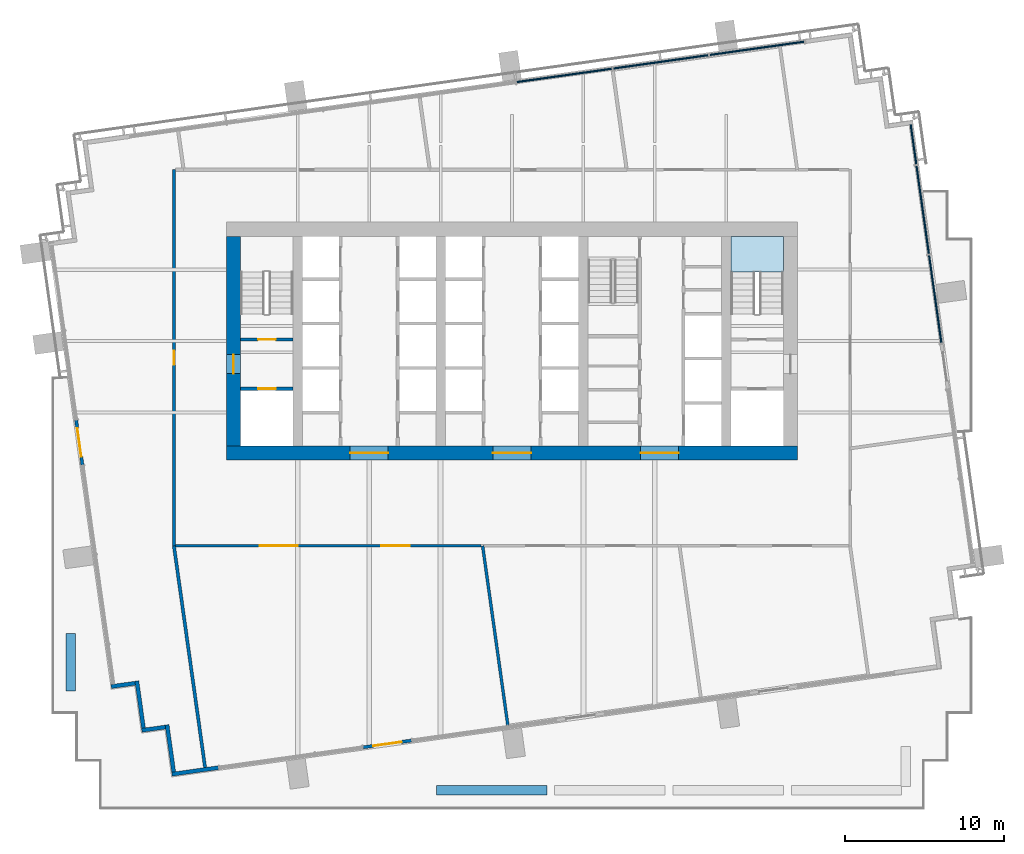
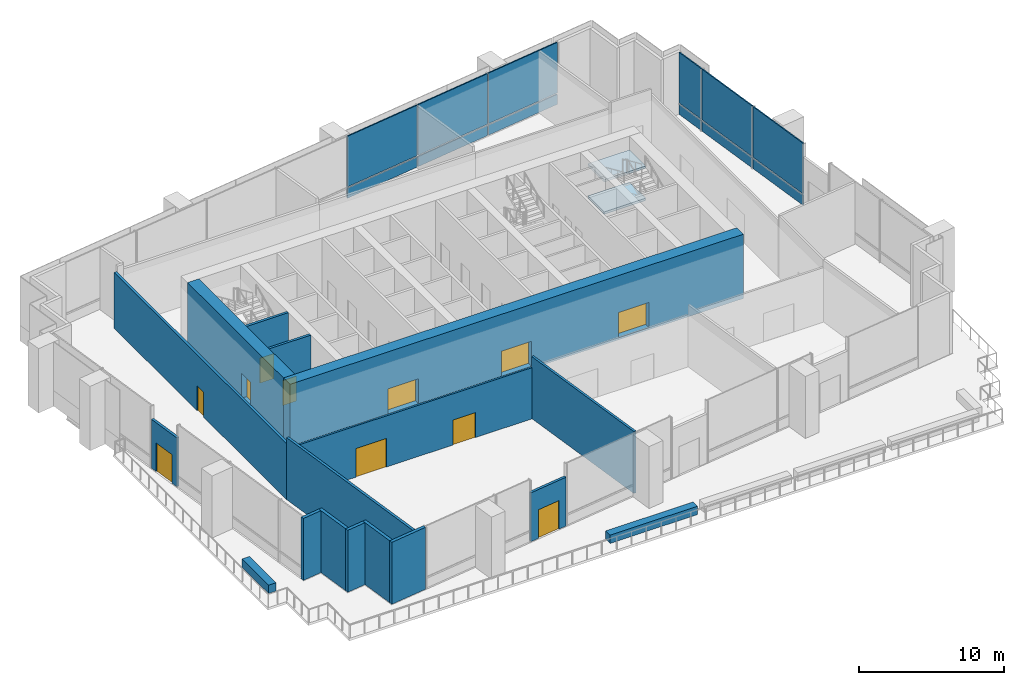
# One storey, part 7 of 17: 17 walls, 12 plates, 10 doors, 2 slabs, 1 window, 11 openings, 3 elements without a shape of their own.
"""IFC4 building model written with IfcOpenShell, lengths in metres."""

from ifc_helpers import new_model, si_unit, direction, frame, frame_2d, origin, origin_2d, place, context, subcontext, project, spatial, polyline, rectangle, outline, extrude, material, layer, layer_set, type_object, element, fill, aggregate, save


model = new_model("IFC4")

# Units and contexts
model_context = context("Model", 3, precision=1e-05, world=origin(), true_north=direction((0.0, 1.0)))
body_context = subcontext(model_context, "Body", "Model", "MODEL_VIEW")
ifc_project = project(units=[si_unit("LENGTHUNIT", "METRE"), si_unit("AREAUNIT", "SQUARE_METRE"), si_unit("VOLUMEUNIT", "CUBIC_METRE"), si_unit("PLANEANGLEUNIT", "RADIAN"), si_unit("MASSUNIT", "GRAM", prefix="KILO")], contexts=[model_context])

# Site, building, storey
site_placement = place(None, origin())
site = spatial("IfcSite", under=ifc_project, at=site_placement, CompositionType="ELEMENT")
building_placement = place(site_placement, origin())
building = spatial("IfcBuilding", under=site, at=building_placement, Name="Rattan Terrace Tower", CompositionType="ELEMENT")
storey_placement = place(building_placement, frame((0.0, 0.0, 163.10009765625)))
storey = spatial("IfcBuildingStorey", under=building, at=storey_placement, Name="L37", CompositionType="ELEMENT", Elevation=163.10009765625)

# Stair, slabs
ifc_material_1 = material(Name="Concrete C40/50", Category="concrete")
stair_type = type_object("IfcStairType", Name="Core exit stair 1500", PredefinedType="HALF_TURN_STAIR", material=ifc_material_1)
stair_placement = place(storey_placement, origin())
stair = element("IfcStair", 1, at=stair_placement, inside=storey, type_object=stair_type, Name="L37 exit stair 2", PredefinedType="HALF_TURN_STAIR")
ifc_material_2 = material(Name="Concrete C40/50", Category="concrete")
ifc_layer_1 = layer(ifc_material_2, 0.199951171875)
ifc_layer_set_1 = layer_set([ifc_layer_1], Name="Core exit stair landing")
slab_type = type_object("IfcSlabType", Name="Core exit stair landing", PredefinedType="LANDING", material=ifc_layer_set_1)
slab_1_placement = place(storey_placement, frame((0.0, 0.0, 1.14990234375)))
slab_1 = element("IfcSlab", 2, at=slab_1_placement, type_object=slab_type, Name="S2 landing 1", PredefinedType="LANDING", context=body_context, shape_type="SweptSolid", body=[
    extrude(outline(polyline([(17.10009765625, 4.360107421875), (17.10009765625, 6.60009765625), (13.800048828125, 6.60009765625), (13.800048828125, 4.360107421875), (17.10009765625, 4.360107421875)])), origin(), (0.0, 0.0, 1.0), 0.199951171875),
])
slab_2_placement = place(storey_placement, frame((0.0, 0.0, 3.849853515625)))
slab_2 = element("IfcSlab", 3, at=slab_2_placement, type_object=slab_type, Name="S2 landing 3", PredefinedType="LANDING", context=body_context, shape_type="SweptSolid", body=[
    extrude(outline(polyline([(17.10009765625, 4.360107421875), (17.10009765625, 6.60009765625), (13.800048828125, 6.60009765625), (13.800048828125, 4.360107421875), (17.10009765625, 4.360107421875)])), origin(), (0.0, 0.0, 1.0), 0.199951171875),
])
aggregate(stair, [slab_1, slab_2])

# Curtain wall, plates
ifc_material_3 = material(Name="Steel fins, aluminium and glass", Category="steel")
ifc_layer_2 = layer(ifc_material_3, 0.300048828125)
ifc_layer_set_2 = layer_set([ifc_layer_2], Name="Sky Lobby Stick Curtain Wall")
curtain_wall_type = type_object("IfcCurtainWallType", Name="Sky Lobby Stick Curtain Wall", PredefinedType="NOTDEFINED", material=ifc_layer_set_2)
curtain_wall_1_placement = place(storey_placement, origin())
curtain_wall_1 = element("IfcCurtainWall", 4, at=curtain_wall_1_placement, inside=storey, type_object=curtain_wall_type, Name="Sky lobby curtain wall L37-2", PredefinedType="NOTDEFINED")
ifc_material_4 = material(Name="Insulated aluminium spandrel panel", Category="aluminium")
ifc_layer_3 = layer(ifc_material_4, 0.10009765625)
ifc_layer_set_3 = layer_set([ifc_layer_3], Name="Sky Lobby CW Insulated Panel")
plate_type_1 = type_object("IfcPlateType", Name="Sky Lobby CW Insulated Panel", PredefinedType="CURTAIN_PANEL", material=ifc_layer_set_3)
plate_1_placement = place(storey_placement, frame((26.664794921875, 2.645751953125, 0.0), z_axis=(0.0, 0.0, 1.0), x_axis=(-0.139190856006, 0.99026557327, 0.0)))
plate_1 = element("IfcPlate", 5, at=plate_1_placement, type_object=plate_type_1, Name="Panel cwl-L37-002.1.1", PredefinedType="CURTAIN_PANEL", context=body_context, shape_type="SweptSolid", body=[
    extrude(rectangle(XDim=5.580078125, YDim=0.10009765625, at=origin_2d()), origin(), (0.0, 0.0, 1.0), 0.840087890625),
])
plate_2_placement = place(storey_placement, frame((25.8740234375, 8.2705078125, 0.0), z_axis=(0.0, 0.0, 1.0), x_axis=(-0.139190856006, 0.99026557327, 0.0)))
plate_2 = element("IfcPlate", 6, at=plate_2_placement, type_object=plate_type_1, Name="Panel cwl-L37-002.2.1", PredefinedType="CURTAIN_PANEL", context=body_context, shape_type="SweptSolid", body=[
    extrude(rectangle(XDim=5.6201171875, YDim=0.10009765625, at=origin_2d()), origin(), (0.0, 0.0, 1.0), 0.840087890625),
])
plate_3_placement = place(storey_placement, frame((25.296875, 12.377685546875, 0.0), z_axis=(0.0, 0.0, 1.0), x_axis=(-0.139190856006, 0.99026557327, 0.0)))
plate_3 = element("IfcPlate", 7, at=plate_3_placement, type_object=plate_type_1, Name="Panel cwl-L37-002.3.1", PredefinedType="CURTAIN_PANEL", context=body_context, shape_type="SweptSolid", body=[
    extrude(rectangle(XDim=2.515380859375, YDim=0.10009765625, at=origin_2d()), origin(), (0.0, 0.0, 1.0), 0.840087890625),
])

curtain_wall_2_placement = place(storey_placement, origin())
curtain_wall_2 = element("IfcCurtainWall", 8, at=curtain_wall_2_placement, inside=storey, type_object=curtain_wall_type, Name="Sky lobby curtain wall L37-3", PredefinedType="NOTDEFINED")
plate_4_placement = place(storey_placement, frame((15.435791015625, 18.446533203125, 0.0), z_axis=(0.0, 0.0, 1.0), x_axis=(-0.990269702686, -0.139161474347, 0.0)))
plate_4 = element("IfcPlate", 9, at=plate_4_placement, type_object=plate_type_1, Name="Panel cwl-L37-003.1.1", PredefinedType="CURTAIN_PANEL", context=body_context, shape_type="SweptSolid", body=[
    extrude(rectangle(XDim=6.02197265625, YDim=0.10009765625, at=origin_2d()), origin(), (0.0, 0.0, 1.0), 0.840087890625),
])
plate_5_placement = place(storey_placement, frame((9.373291015625, 17.594482421875, 0.0), z_axis=(0.0, 0.0, 1.0), x_axis=(-0.990269702686, -0.139161474347, 0.0)))
plate_5 = element("IfcPlate", 10, at=plate_5_placement, type_object=plate_type_1, Name="Panel cwl-L37-003.2.1", PredefinedType="CURTAIN_PANEL", context=body_context, shape_type="SweptSolid", body=[
    extrude(rectangle(XDim=6.06201171875, YDim=0.10009765625, at=origin_2d()), origin(), (0.0, 0.0, 1.0), 0.840087890625),
])
plate_6_placement = place(storey_placement, frame((3.291015625, 16.73974609375, 0.0), z_axis=(0.0, 0.0, 1.0), x_axis=(-0.990269702686, -0.139161474347, 0.0)))
plate_6 = element("IfcPlate", 11, at=plate_6_placement, type_object=plate_type_1, Name="Panel cwl-L37-003.3.1", PredefinedType="CURTAIN_PANEL", context=body_context, shape_type="SweptSolid", body=[
    extrude(rectangle(XDim=6.06201171875, YDim=0.10009765625, at=origin_2d()), origin(), (0.0, 0.0, 1.0), 0.840087890625),
])

# Plate
ifc_material_5 = material(Name="Laminated low-iron glass", Category="glass")
ifc_layer_4 = layer(ifc_material_5, 0.090087890625)
ifc_layer_set_4 = layer_set([ifc_layer_4], Name="Sky Lobby CW Vision Panel")
plate_type_2 = type_object("IfcPlateType", Name="Sky Lobby CW Vision Panel", PredefinedType="CURTAIN_PANEL", material=ifc_layer_set_4)
plate_7_placement = place(storey_placement, frame((26.664794921875, 2.645751953125, 0.9599609375), z_axis=(0.0, 0.0, 1.0), x_axis=(-0.139190856006, 0.99026557327, 0.0)))
plate_7 = element("IfcPlate", 12, at=plate_7_placement, type_object=plate_type_2, Name="Panel cwl-L37-002.1.2", PredefinedType="CURTAIN_PANEL", context=body_context, shape_type="SweptSolid", body=[
    extrude(rectangle(XDim=5.580078125, YDim=0.090087890625, at=origin_2d()), origin(), (0.0, 0.0, 1.0), 4.239990234375),
])

plate_8_placement = place(storey_placement, frame((25.8740234375, 8.2705078125, 0.9599609375), z_axis=(0.0, 0.0, 1.0), x_axis=(-0.139190856006, 0.99026557327, 0.0)))
plate_8 = element("IfcPlate", 13, at=plate_8_placement, type_object=plate_type_2, Name="Panel cwl-L37-002.2.2", PredefinedType="CURTAIN_PANEL", context=body_context, shape_type="SweptSolid", body=[
    extrude(rectangle(XDim=5.6201171875, YDim=0.090087890625, at=origin_2d()), origin(), (0.0, 0.0, 1.0), 4.239990234375),
])

plate_9_placement = place(storey_placement, frame((25.296875, 12.377685546875, 0.9599609375), z_axis=(0.0, 0.0, 1.0), x_axis=(-0.139190856006, 0.99026557327, 0.0)))
plate_9 = element("IfcPlate", 14, at=plate_9_placement, type_object=plate_type_2, Name="Panel cwl-L37-002.3.2", PredefinedType="CURTAIN_PANEL", context=body_context, shape_type="SweptSolid", body=[
    extrude(rectangle(XDim=2.515380859375, YDim=0.090087890625, at=origin_2d()), origin(), (0.0, 0.0, 1.0), 4.239990234375),
])

aggregate(curtain_wall_1, [plate_1, plate_7, plate_2, plate_8, plate_3, plate_9])

plate_10_placement = place(storey_placement, frame((15.435791015625, 18.446533203125, 0.9599609375), z_axis=(0.0, 0.0, 1.0), x_axis=(-0.990269702686, -0.139161474347, 0.0)))
plate_10 = element("IfcPlate", 15, at=plate_10_placement, type_object=plate_type_2, Name="Panel cwl-L37-003.1.2", PredefinedType="CURTAIN_PANEL", context=body_context, shape_type="SweptSolid", body=[
    extrude(rectangle(XDim=6.02197265625, YDim=0.090087890625, at=origin_2d()), origin(), (0.0, 0.0, 1.0), 4.239990234375),
])

plate_11_placement = place(storey_placement, frame((9.373291015625, 17.594482421875, 0.9599609375), z_axis=(0.0, 0.0, 1.0), x_axis=(-0.990269702686, -0.139161474347, 0.0)))
plate_11 = element("IfcPlate", 16, at=plate_11_placement, type_object=plate_type_2, Name="Panel cwl-L37-003.2.2", PredefinedType="CURTAIN_PANEL", context=body_context, shape_type="SweptSolid", body=[
    extrude(rectangle(XDim=6.06201171875, YDim=0.090087890625, at=origin_2d()), origin(), (0.0, 0.0, 1.0), 4.239990234375),
])

plate_12_placement = place(storey_placement, frame((3.291015625, 16.73974609375, 0.9599609375), z_axis=(0.0, 0.0, 1.0), x_axis=(-0.990269702686, -0.139161474347, 0.0)))
plate_12 = element("IfcPlate", 17, at=plate_12_placement, type_object=plate_type_2, Name="Panel cwl-L37-003.3.2", PredefinedType="CURTAIN_PANEL", context=body_context, shape_type="SweptSolid", body=[
    extrude(rectangle(XDim=6.06201171875, YDim=0.090087890625, at=origin_2d()), origin(), (0.0, 0.0, 1.0), 4.239990234375),
])

aggregate(curtain_wall_2, [plate_4, plate_10, plate_5, plate_11, plate_6, plate_12])

# Wall, opening, door
ifc_material_6 = material(Name="Gypsum board partition")
ifc_layer_5 = layer(ifc_material_6, 0.199951171875)
ifc_layer_set_5 = layer_set([ifc_layer_5], Name="Core partition 200")
wall_type_1 = type_object("IfcWallType", Name="Core partition 200", PredefinedType="PARTITIONING", material=ifc_layer_set_5)
wall_1_placement = place(storey_placement, frame((-17.10009765625, -3.0, 0.0), z_axis=(0.0, 0.0, 1.0), x_axis=(1.0, 0.0, 0.0)))
wall_1 = element("IfcWall", 18, at=wall_1_placement, inside=storey, type_object=wall_type_1, Name="Fire-fighting lobby wall", PredefinedType="PARTITIONING", context=body_context, shape_type="SweptSolid", body=[
    extrude(rectangle(XDim=3.300048828125, YDim=0.199951171875, at=frame_2d((1.64990234375, 0.0))), origin(), (0.0, 0.0, 1.0), 5.199951171875),
])
opening_1_placement = place(wall_1_placement, frame((1.10009765625, 0.0, 0.0)))
opening_1 = element("IfcOpeningElement", 19, at=opening_1_placement, cuts=wall_1, Name="Opening L37-LD-FF1", PredefinedType="OPENING", context=body_context, shape_type="SweptSolid", body=[
    extrude(rectangle(XDim=1.10009765625, YDim=2.10009765625, at=frame_2d((0.550048828125, 1.050048828125))), frame((0.0, 0.110595703125, 0.0), z_axis=(0.0, -1.0, 0.0), x_axis=(1.0, 0.0, 0.0)), (0.0, 0.0, 1.0), 0.220947265625),
])
ifc_material_7 = material(Name="Brushed stainless landing door panel")
door_type_1 = type_object("IfcDoorType", Name="Core lift landing door 1100", OperationType="DOUBLE_DOOR_SLIDING", PredefinedType="DOOR", material=ifc_material_7)
door_1_placement = place(opening_1_placement, origin())
door_1 = element("IfcDoor", 20, at=door_1_placement, inside=storey, type_object=door_type_1, Name="Door L37-LD-FF1", OperationType="DOUBLE_DOOR_SLIDING", OverallHeight=2.10009765625, OverallWidth=1.10009765625, PredefinedType="DOOR", context=body_context, shape_type="SweptSolid", body=[
    extrude(rectangle(XDim=1.10009765625, YDim=2.10009765625, at=frame_2d((0.550048828125, 1.050048828125))), frame((0.0, 0.02490234375, 0.0), z_axis=(0.0, -1.0, 0.0), x_axis=(1.0, 0.0, 0.0)), (0.0, 0.0, 1.0), 0.050048828125),
])
fill(opening_1, door_1)

wall_2_placement = place(storey_placement, frame((-17.10009765625, 0.10009765625, 0.0), z_axis=(0.0, 0.0, 1.0), x_axis=(1.0, 0.0, 0.0)))
wall_2 = element("IfcWall", 21, at=wall_2_placement, inside=storey, type_object=wall_type_1, Name="Stair enclosure wall", PredefinedType="PARTITIONING", context=body_context, shape_type="SweptSolid", body=[
    extrude(rectangle(XDim=3.300048828125, YDim=0.199951171875, at=frame_2d((1.64990234375, 0.0))), origin(), (0.0, 0.0, 1.0), 5.199951171875),
])
opening_2_placement = place(wall_2_placement, frame((1.10009765625, 0.0, 0.0)))
opening_2 = element("IfcOpeningElement", 22, at=opening_2_placement, cuts=wall_2, Name="Opening L37-D002", PredefinedType="OPENING", context=body_context, shape_type="SweptSolid", body=[
    extrude(rectangle(XDim=1.10009765625, YDim=2.10009765625, at=frame_2d((0.550048828125, 1.050048828125))), frame((0.0, 0.110595703125, 0.0), z_axis=(0.0, -1.0, 0.0), x_axis=(1.0, 0.0, 0.0)), (0.0, 0.0, 1.0), 0.220947265625),
])
ifc_material_8 = material(Name="Hollow-metal fire door leaf")
door_type_2 = type_object("IfcDoorType", Name="Core stair door 1100", OperationType="NOTDEFINED", PredefinedType="DOOR", material=ifc_material_8)
door_2_placement = place(opening_2_placement, origin())
door_2 = element("IfcDoor", 23, at=door_2_placement, inside=storey, type_object=door_type_2, Name="Door L37-D002", OperationType="SINGLE_SWING_RIGHT", OverallHeight=2.10009765625, OverallWidth=1.10009765625, PredefinedType="DOOR", context=body_context, shape_type="SweptSolid", body=[
    extrude(rectangle(XDim=1.10009765625, YDim=2.10009765625, at=frame_2d((0.550048828125, 1.050048828125))), frame((0.0, 0.02490234375, 0.0), z_axis=(0.0, -1.0, 0.0), x_axis=(1.0, 0.0, 0.0)), (0.0, 0.0, 1.0), 0.050048828125),
])
fill(opening_2, door_2)

# Wall, openings, doors
ifc_material_9 = material(Name="Concrete C60/75", Category="concrete")
ifc_layer_6 = layer(ifc_material_9, 0.89990234375)
ifc_layer_set_6 = layer_set([ifc_layer_6], Name="Core ring wall 900 C60/75")
wall_type_2 = type_object("IfcWallType", Name="Core ring wall 900 C60/75", PredefinedType="SHEAR", material=ifc_layer_set_6)
wall_3_placement = place(storey_placement, frame((-18.0, -7.050048828125, -0.2001953125), z_axis=(0.0, 0.0, 1.0), x_axis=(1.0, 0.0, 0.0)))
wall_3 = element("IfcWall", 24, at=wall_3_placement, inside=storey, type_object=wall_type_2, Name="Rear core wall south", PredefinedType="SHEAR", context=body_context, shape_type="SweptSolid", body=[
    extrude(rectangle(XDim=36.0, YDim=0.89990234375, at=frame_2d((18.0, 0.0))), origin(), (0.0, 0.0, 1.0), 5.400146484375),
])
opening_3_placement = place(wall_3_placement, frame((7.800048828125, 0.0, 0.199951171875)))
opening_3 = element("IfcOpeningElement", 25, at=opening_3_placement, cuts=wall_3, Name="Opening L37-D007", PredefinedType="OPENING", context=body_context, shape_type="SweptSolid", body=[
    extrude(rectangle(XDim=2.39990234375, YDim=2.10009765625, at=frame_2d((1.199951171875, 1.050048828125))), frame((0.0, 0.46044921875, 0.0), z_axis=(0.0, -1.0, 0.0), x_axis=(1.0, 0.0, 0.0)), (0.0, 0.0, 1.0), 0.9208984375),
])
opening_4_placement = place(wall_3_placement, frame((16.800048828125, 0.0, 0.199951171875)))
opening_4 = element("IfcOpeningElement", 26, at=opening_4_placement, cuts=wall_3, Name="Opening L37-D010", PredefinedType="OPENING", context=body_context, shape_type="SweptSolid", body=[
    extrude(rectangle(XDim=2.39990234375, YDim=2.10009765625, at=frame_2d((1.199951171875, 1.050048828125))), frame((0.0, 0.46044921875, 0.0), z_axis=(0.0, -1.0, 0.0), x_axis=(1.0, 0.0, 0.0)), (0.0, 0.0, 1.0), 0.9208984375),
])
opening_5_placement = place(wall_3_placement, frame((26.10009765625, 0.0, 0.199951171875)))
opening_5 = element("IfcOpeningElement", 27, at=opening_5_placement, cuts=wall_3, Name="Opening L37-D016", PredefinedType="OPENING", context=body_context, shape_type="SweptSolid", body=[
    extrude(rectangle(XDim=2.39990234375, YDim=2.10009765625, at=frame_2d((1.199951171875, 1.050048828125))), frame((0.0, 0.46044921875, 0.0), z_axis=(0.0, -1.0, 0.0), x_axis=(1.0, 0.0, 0.0)), (0.0, 0.0, 1.0), 0.9208984375),
])
ifc_material_10 = material(Name="Hollow-metal fire door leaf")
door_type_3 = type_object("IfcDoorType", Name="Core lift lobby door 2400", OperationType="NOTDEFINED", PredefinedType="DOOR", material=ifc_material_10)
door_3_placement = place(opening_3_placement, origin())
door_3 = element("IfcDoor", 28, at=door_3_placement, inside=storey, type_object=door_type_3, Name="Door L37-D007", OperationType="DOUBLE_DOOR_DOUBLE_SWING", OverallHeight=2.10009765625, OverallWidth=2.39990234375, PredefinedType="DOOR", context=body_context, shape_type="SweptSolid", body=[
    extrude(rectangle(XDim=2.39990234375, YDim=2.10009765625, at=frame_2d((1.199951171875, 1.050048828125))), frame((0.0, 0.02490234375, 0.0), z_axis=(0.0, -1.0, 0.0), x_axis=(1.0, 0.0, 0.0)), (0.0, 0.0, 1.0), 0.050048828125),
])
fill(opening_3, door_3)
door_4_placement = place(opening_4_placement, origin())
door_4 = element("IfcDoor", 29, at=door_4_placement, inside=storey, type_object=door_type_3, Name="Door L37-D010", OperationType="DOUBLE_DOOR_DOUBLE_SWING", OverallHeight=2.10009765625, OverallWidth=2.39990234375, PredefinedType="DOOR", context=body_context, shape_type="SweptSolid", body=[
    extrude(rectangle(XDim=2.39990234375, YDim=2.10009765625, at=frame_2d((1.199951171875, 1.050048828125))), frame((0.0, 0.02490234375, 0.0), z_axis=(0.0, -1.0, 0.0), x_axis=(1.0, 0.0, 0.0)), (0.0, 0.0, 1.0), 0.050048828125),
])
fill(opening_4, door_4)
door_5_placement = place(opening_5_placement, origin())
door_5 = element("IfcDoor", 30, at=door_5_placement, inside=storey, type_object=door_type_3, Name="Door L37-D016", OperationType="DOUBLE_DOOR_DOUBLE_SWING", OverallHeight=2.10009765625, OverallWidth=2.39990234375, PredefinedType="DOOR", context=body_context, shape_type="SweptSolid", body=[
    extrude(rectangle(XDim=2.39990234375, YDim=2.10009765625, at=frame_2d((1.199951171875, 1.050048828125))), frame((0.0, 0.02490234375, 0.0), z_axis=(0.0, -1.0, 0.0), x_axis=(1.0, 0.0, 0.0)), (0.0, 0.0, 1.0), 0.050048828125),
])
fill(opening_5, door_5)

# Wall, opening, door
wall_4_placement = place(storey_placement, frame((-17.550048828125, -6.60009765625, -0.2001953125), z_axis=(0.0, 0.0, 1.0), x_axis=(0.0, 1.0, 0.0)))
wall_4 = element("IfcWall", 31, at=wall_4_placement, inside=storey, type_object=wall_type_2, Name="Rear core wall west", PredefinedType="SHEAR", context=body_context, shape_type="SweptSolid", body=[
    extrude(rectangle(XDim=13.2001953125, YDim=0.89990234375, at=frame_2d((6.60009765625, 0.0))), origin(), (0.0, 0.0, 1.0), 5.400146484375),
])
opening_6_placement = place(wall_4_placement, frame((4.550048828125, 0.0, 0.199951171875)))
opening_6 = element("IfcOpeningElement", 32, at=opening_6_placement, cuts=wall_4, Name="Opening L37-D001", PredefinedType="OPENING", context=body_context, shape_type="SweptSolid", body=[
    extrude(rectangle(XDim=1.199951171875, YDim=2.10009765625, at=frame_2d((0.60009765625, 1.050048828125))), frame((0.0, 0.46044921875, 0.0), z_axis=(0.0, -1.0, 0.0), x_axis=(1.0, 0.0, 0.0)), (0.0, 0.0, 1.0), 0.9208984375),
])
ifc_material_11 = material(Name="Hollow-metal fire door leaf")
door_type_4 = type_object("IfcDoorType", Name="Core fire-fighting lobby door 1200", OperationType="NOTDEFINED", PredefinedType="DOOR", material=ifc_material_11)
door_6_placement = place(opening_6_placement, origin())
door_6 = element("IfcDoor", 33, at=door_6_placement, inside=storey, type_object=door_type_4, Name="Door L37-D001", OperationType="SINGLE_SWING_LEFT", OverallHeight=2.10009765625, OverallWidth=1.199951171875, PredefinedType="DOOR", context=body_context, shape_type="SweptSolid", body=[
    extrude(rectangle(XDim=1.199951171875, YDim=2.10009765625, at=frame_2d((0.60009765625, 1.050048828125))), frame((0.0, 0.02490234375, 0.0), z_axis=(0.0, -1.0, 0.0), x_axis=(1.0, 0.0, 0.0)), (0.0, 0.0, 1.0), 0.050048828125),
])
fill(opening_6, door_6)

ifc_material_12 = material(Name="Insulated aluminium-clad stud wall", Category="aluminium")
ifc_layer_7 = layer(ifc_material_12, 0.199951171875)
ifc_layer_set_7 = layer_set([ifc_layer_7], Name="Facade Door Wall 200")
wall_type_3 = type_object("IfcWallType", Name="Facade Door Wall 200", PredefinedType="SOLIDWALL", material=ifc_layer_set_7)
wall_5_placement = place(storey_placement, frame((-27.4609375, -4.9814453125, 0.0), z_axis=(0.0, 0.0, 1.0), x_axis=(0.139202330076, -0.990263960417, 0.0)))
wall_5 = element("IfcWall", 34, at=wall_5_placement, inside=storey, type_object=wall_type_3, Name="Terrace door wall L37-17", PredefinedType="SOLIDWALL", context=body_context, shape_type="SweptSolid", body=[
    extrude(rectangle(XDim=2.85009765625, YDim=0.199951171875, at=frame_2d((1.425048828125, 0.0))), origin(), (0.0, 0.0, 1.0), 4.099853515625),
])
opening_7_placement = place(wall_5_placement, frame((0.52490234375, 0.0, 0.0)))
opening_7 = element("IfcOpeningElement", 35, at=opening_7_placement, cuts=wall_5, Name="Opening L37-D702", PredefinedType="OPENING", context=body_context, shape_type="SweptSolid", body=[
    extrude(rectangle(XDim=1.800048828125, YDim=2.39990234375, at=frame_2d((0.89990234375, 1.199951171875))), frame((0.0, 0.110595703125, 0.0), z_axis=(0.0, -1.0, 0.0), x_axis=(1.0, 0.0, 0.0)), (0.0, 0.0, 1.0), 0.220947265625),
])
ifc_material_13 = material(Name="Aluminium and clear glass", Category="aluminium")
door_type_5 = type_object("IfcDoorType", Name="Facade Terrace Door 1800", OperationType="DOUBLE_DOOR_SINGLE_SWING", PredefinedType="DOOR", material=ifc_material_13)
door_7_placement = place(opening_7_placement, origin())
door_7 = element("IfcDoor", 36, at=door_7_placement, inside=storey, type_object=door_type_5, Name="Terrace door L37-D702", OperationType="DOUBLE_DOOR_SINGLE_SWING", OverallHeight=2.39990234375, OverallWidth=1.800048828125, PredefinedType="DOOR", context=body_context, shape_type="SweptSolid", body=[
    extrude(rectangle(XDim=1.800048828125, YDim=2.39990234375, at=frame_2d((0.89990234375, 1.199951171875))), frame((0.0, 0.02490234375, 0.0), z_axis=(0.0, -1.0, 0.0), x_axis=(1.0, 0.0, 0.0)), (0.0, 0.0, 1.0), 0.050048828125),
])
fill(opening_7, door_7)

wall_6_placement = place(storey_placement, frame((-9.373291015625, -25.594482421875, 0.0), z_axis=(0.0, 0.0, 1.0), x_axis=(0.990274385837, 0.139128145088, 0.0)))
wall_6 = element("IfcWall", 37, at=wall_6_placement, inside=storey, type_object=wall_type_3, Name="Terrace door wall L37-23", PredefinedType="SOLIDWALL", context=body_context, shape_type="SweptSolid", body=[
    extrude(rectangle(XDim=3.07080078125, YDim=0.199951171875, at=frame_2d((1.535400390625, 0.0))), origin(), (0.0, 0.0, 1.0), 4.099853515625),
])
opening_8_placement = place(wall_6_placement, frame((0.635498046875, 0.0, 0.0)))
opening_8 = element("IfcOpeningElement", 38, at=opening_8_placement, cuts=wall_6, Name="Opening L37-D703", PredefinedType="OPENING", context=body_context, shape_type="SweptSolid", body=[
    extrude(rectangle(XDim=1.800048828125, YDim=2.39990234375, at=frame_2d((0.89990234375, 1.199951171875))), frame((0.0, 0.110595703125, 0.0), z_axis=(0.0, -1.0, 0.0), x_axis=(1.0, 0.0, 0.0)), (0.0, 0.0, 1.0), 0.220947265625),
])
door_8_placement = place(opening_8_placement, origin())
door_8 = element("IfcDoor", 39, at=door_8_placement, inside=storey, type_object=door_type_5, Name="Terrace door L37-D703", OperationType="DOUBLE_DOOR_SINGLE_SWING", OverallHeight=2.39990234375, OverallWidth=1.800048828125, PredefinedType="DOOR", context=body_context, shape_type="SweptSolid", body=[
    extrude(rectangle(XDim=1.800048828125, YDim=2.39990234375, at=frame_2d((0.89990234375, 1.199951171875))), frame((0.0, 0.02490234375, 0.0), z_axis=(0.0, -1.0, 0.0), x_axis=(1.0, 0.0, 0.0)), (0.0, 0.0, 1.0), 0.050048828125),
])
fill(opening_8, door_8)

# Walls
ifc_material_14 = material(Name="Precast concrete C30/37", Category="concrete")
ifc_layer_8 = layer(ifc_material_14, 0.60009765625)
ifc_layer_set_8 = layer_set([ifc_layer_8], Name="Facade Planter Wall 600")
wall_type_4 = type_object("IfcWallType", Name="Facade Planter Wall 600", PredefinedType="SOLIDWALL", material=ifc_layer_set_8)
wall_7_placement = place(storey_placement, frame((-27.800048828125, -22.050048828125, 0.0), z_axis=(0.0, 0.0, 1.0), x_axis=(0.0, 1.0, 0.0)))
element("IfcWall", 40, at=wall_7_placement, inside=storey, type_object=wall_type_4, Name="PLANTER bed L37-1", PredefinedType="SOLIDWALL", context=body_context, shape_type="SweptSolid", body=[
    extrude(rectangle(XDim=3.64111328125, YDim=0.60009765625, at=frame_2d((1.820556640625, 0.0))), origin(), (0.0, 0.0, 1.0), 0.699951171875),
])
wall_8_placement = place(storey_placement, frame((2.19189453125, -28.300048828125, 0.0), z_axis=(0.0, 0.0, 1.0), x_axis=(-1.0, 0.0, 0.0)))
element("IfcWall", 41, at=wall_8_placement, inside=storey, type_object=wall_type_4, Name="PLANTER bed L37-6", PredefinedType="SOLIDWALL", context=body_context, shape_type="SweptSolid", body=[
    extrude(rectangle(XDim=6.952880859375, YDim=0.60009765625, at=frame_2d((3.4765625, 0.0))), origin(), (0.0, 0.0, 1.0), 0.699951171875),
])
ifc_material_15 = material(Name="Insulated aluminium-clad stud wall", Category="aluminium")
ifc_layer_9 = layer(ifc_material_15, 0.25)
ifc_layer_set_9 = layer_set([ifc_layer_9], Name="Facade Riser Wall 250")
wall_type_5 = type_object("IfcWallType", Name="Facade Riser Wall 250", PredefinedType="SOLIDWALL", material=ifc_layer_set_9)
wall_9_placement = place(storey_placement, frame((-25.2529296875, -21.767822265625, 0.0), z_axis=(0.0, 0.0, 1.0), x_axis=(0.990248296447, 0.139313715703, 0.0)))
element("IfcWall", 42, at=wall_9_placement, inside=storey, type_object=wall_type_5, Name="Riser wall L37-18", PredefinedType="SOLIDWALL", context=body_context, shape_type="SweptSolid", body=[
    extrude(rectangle(XDim=1.524658203125, YDim=0.25, at=frame_2d((0.76220703125, 0.0))), origin(), (0.0, 0.0, 1.0), 5.199951171875),
])
wall_10_placement = place(storey_placement, frame((-23.63671875, -21.414306640625, 0.0), z_axis=(0.0, 0.0, 1.0), x_axis=(0.139313431826, -0.990248336385, 0.0)))
element("IfcWall", 43, at=wall_10_placement, inside=storey, type_object=wall_type_5, Name="Riser wall L37-19", PredefinedType="SOLIDWALL", context=body_context, shape_type="SweptSolid", body=[
    extrude(rectangle(XDim=3.000244140625, YDim=0.25, at=frame_2d((1.5, 0.0))), origin(), (0.0, 0.0, 1.0), 5.199951171875),
])
wall_11_placement = place(storey_placement, frame((-23.3251953125, -24.5263671875, 0.0), z_axis=(0.0, 0.0, 1.0), x_axis=(0.990243596651, 0.13934711799, 0.0)))
element("IfcWall", 44, at=wall_11_placement, inside=storey, type_object=wall_type_5, Name="Riser wall L37-20", PredefinedType="SOLIDWALL", context=body_context, shape_type="SweptSolid", body=[
    extrude(rectangle(XDim=1.499755859375, YDim=0.25, at=frame_2d((0.75, 0.0))), origin(), (0.0, 0.0, 1.0), 5.199951171875),
])
wall_12_placement = place(storey_placement, frame((-21.733642578125, -24.17626953125, 0.0), z_axis=(0.0, 0.0, 1.0), x_axis=(0.139313431826, -0.990248336385, 0.0)))
element("IfcWall", 45, at=wall_12_placement, inside=storey, type_object=wall_type_5, Name="Riser wall L37-21", PredefinedType="SOLIDWALL", context=body_context, shape_type="SweptSolid", body=[
    extrude(rectangle(XDim=3.000244140625, YDim=0.25, at=frame_2d((1.5, 0.0))), origin(), (0.0, 0.0, 1.0), 5.199951171875),
])
wall_13_placement = place(storey_placement, frame((-21.422119140625, -27.288330078125, 0.0), z_axis=(0.0, 0.0, 1.0), x_axis=(0.990246427036, 0.139327002919, 0.0)))
element("IfcWall", 46, at=wall_13_placement, inside=storey, type_object=wall_type_5, Name="Riser wall L37-22", PredefinedType="SOLIDWALL", context=body_context, shape_type="SweptSolid", body=[
    extrude(rectangle(XDim=2.954345703125, YDim=0.25, at=frame_2d((1.47705078125, 0.0))), origin(), (0.0, 0.0, 1.0), 5.199951171875),
])
ifc_material_16 = material(Name="Double steel stud acoustic partition, gypsum board, mineral wool, fire rated", Category="steel")
ifc_layer_10 = layer(ifc_material_16, 0.179931640625)
ifc_layer_set_10 = layer_set([ifc_layer_10], Name="Floors Acoustic Party Wall 180")
wall_type_6 = type_object("IfcWallType", Name="Floors Acoustic Party Wall 180", PredefinedType="PARTITIONING", material=ifc_layer_set_10)
wall_14_placement = place(storey_placement, frame((-0.260009765625, -24.222900390625, 0.0), z_axis=(0.0, 0.0, 1.0), x_axis=(-0.139149160805, 0.990271433016, 0.0)))
element("IfcWall", 47, at=wall_14_placement, inside=storey, type_object=wall_type_6, Name="pt-L37-014", PredefinedType="PARTITIONING", context=body_context, shape_type="SweptSolid", body=[
    extrude(rectangle(XDim=11.434326171875, YDim=0.179931640625, at=frame_2d((5.71728515625, 0.0))), origin(), (0.0, 0.0, 1.0), 5.199951171875),
])

# Wall, opening, door
ifc_material_17 = material(Name="Concrete block wall, plastered", Category="concrete")
ifc_layer_11 = layer(ifc_material_17, 0.199951171875)
ifc_layer_set_11 = layer_set([ifc_layer_11], Name="Floors Plant Wall 200")
wall_type_7 = type_object("IfcWallType", Name="Floors Plant Wall 200", PredefinedType="PARTITIONING", material=ifc_layer_set_11)
wall_15_placement = place(storey_placement, frame((-21.300048828125, -12.89990234375, 0.0), z_axis=(0.0, 0.0, 1.0), x_axis=(0.0, 1.0, 0.0)))
wall_15 = element("IfcWall", 48, at=wall_15_placement, inside=storey, type_object=wall_type_7, Name="pt-L37-008", PredefinedType="PARTITIONING", context=body_context, shape_type="SweptSolid", body=[
    extrude(rectangle(XDim=23.699951171875, YDim=0.199951171875, at=frame_2d((11.85009765625, 0.0))), origin(), (0.0, 0.0, 1.0), 4.699951171875),
])
opening_9_placement = place(wall_15_placement, frame((11.39990234375, 0.0, 0.0)))
opening_9 = element("IfcOpeningElement", 49, at=opening_9_placement, cuts=wall_15, Name="Opening L37-D106", PredefinedType="OPENING", context=body_context, shape_type="SweptSolid", body=[
    extrude(rectangle(XDim=0.89990234375, YDim=2.10009765625, at=frame_2d((0.449951171875, 1.050048828125))), frame((0.0, 0.110595703125, 0.0), z_axis=(0.0, -1.0, 0.0), x_axis=(1.0, 0.0, 0.0)), (0.0, 0.0, 1.0), 0.220947265625),
])
ifc_material_18 = material(Name="Steel fire door set", Category="steel")
door_type_6 = type_object("IfcDoorType", Name="Floors Fire Door FD60 900x2100", OperationType="NOTDEFINED", PredefinedType="DOOR", material=ifc_material_18)
door_9_placement = place(opening_9_placement, origin())
door_9 = element("IfcDoor", 50, at=door_9_placement, inside=storey, type_object=door_type_6, Name="d-L37-106", OperationType="SINGLE_SWING_LEFT", OverallHeight=2.10009765625, OverallWidth=0.89990234375, PredefinedType="DOOR", context=body_context, shape_type="SweptSolid", body=[
    extrude(rectangle(XDim=0.89990234375, YDim=2.10009765625, at=frame_2d((0.449951171875, 1.050048828125))), frame((0.0, 0.02490234375, 0.0), z_axis=(0.0, -1.0, 0.0), x_axis=(1.0, 0.0, 0.0)), (0.0, 0.0, 1.0), 0.050048828125),
])
fill(opening_9, door_9)

# Wall
wall_16_placement = place(storey_placement, frame((-19.33203125, -26.903076171875, 0.0), z_axis=(0.0, 0.0, 1.0), x_axis=(-0.139173089853, 0.990268070303, 0.0)))
element("IfcWall", 51, at=wall_16_placement, inside=storey, type_object=wall_type_7, Name="pt-L37-015", PredefinedType="PARTITIONING", context=body_context, shape_type="SweptSolid", body=[
    extrude(rectangle(XDim=14.140869140625, YDim=0.199951171875, at=frame_2d((7.0703125, 0.0))), origin(), (0.0, 0.0, 1.0), 5.199951171875),
])

# Wall, openings, door, window
ifc_material_19 = material(Name="Gypsum board partition on steel studs, fire rated", Category="steel")
ifc_layer_12 = layer(ifc_material_19, 0.14990234375)
ifc_layer_set_12 = layer_set([ifc_layer_12], Name="Floors Tenancy Wall 150")
wall_type_8 = type_object("IfcWallType", Name="Floors Tenancy Wall 150", PredefinedType="PARTITIONING", material=ifc_layer_set_12)
wall_17_placement = place(storey_placement, frame((-1.93994140625, -12.89990234375, 0.0), z_axis=(0.0, 0.0, 1.0), x_axis=(-1.0, 0.0, 0.0)))
wall_17 = element("IfcWall", 52, at=wall_17_placement, inside=storey, type_object=wall_type_8, Name="pt-L37-003", PredefinedType="PARTITIONING", context=body_context, shape_type="SweptSolid", body=[
    extrude(rectangle(XDim=19.260009765625, YDim=0.14990234375, at=frame_2d((9.6298828125, 0.0))), origin(), (0.0, 0.0, 1.0), 4.2998046875),
])
opening_10_placement = place(wall_17_placement, frame((4.489990234375, 0.0, 0.0)))
opening_10 = element("IfcOpeningElement", 53, at=opening_10_placement, cuts=wall_17, Name="Opening L37-D102", PredefinedType="OPENING", context=body_context, shape_type="SweptSolid", body=[
    extrude(rectangle(XDim=1.800048828125, YDim=2.10009765625, at=frame_2d((0.89990234375, 1.050048828125))), frame((0.0, 0.08544921875, 0.0), z_axis=(0.0, -1.0, 0.0), x_axis=(1.0, 0.0, 0.0)), (0.0, 0.0, 1.0), 0.1708984375),
])
opening_11_placement = place(wall_17_placement, frame((11.568115234375, 0.0, 0.0)))
opening_11 = element("IfcOpeningElement", 54, at=opening_11_placement, cuts=wall_17, Name="Opening L37-W102", PredefinedType="OPENING", context=body_context, shape_type="SweptSolid", body=[
    extrude(rectangle(XDim=2.39990234375, YDim=2.39990234375, at=frame_2d((1.199951171875, 1.199951171875))), frame((0.0, 0.08544921875, 0.0), z_axis=(0.0, -1.0, 0.0), x_axis=(1.0, 0.0, 0.0)), (0.0, 0.0, 1.0), 0.1708984375),
])
ifc_material_20 = material(Name="Steel fire door set", Category="steel")
door_type_7 = type_object("IfcDoorType", Name="Floors Fire Door Pair FD30S 1800x2100", OperationType="NOTDEFINED", PredefinedType="DOOR", material=ifc_material_20)
door_10_placement = place(opening_10_placement, origin())
door_10 = element("IfcDoor", 55, at=door_10_placement, inside=storey, type_object=door_type_7, Name="d-L37-102", OperationType="DOUBLE_DOOR_SINGLE_SWING", OverallHeight=2.10009765625, OverallWidth=1.800048828125, PredefinedType="DOOR", context=body_context, shape_type="SweptSolid", body=[
    extrude(rectangle(XDim=1.800048828125, YDim=2.10009765625, at=frame_2d((0.89990234375, 1.050048828125))), frame((0.0, 0.02490234375, 0.0), z_axis=(0.0, -1.0, 0.0), x_axis=(1.0, 0.0, 0.0)), (0.0, 0.0, 1.0), 0.050048828125),
])
fill(opening_10, door_10)
ifc_material_21 = material(Name="Glass, clear, fixed in aluminium frame", Category="aluminium")
window_type = type_object("IfcWindowType", Name="Interior Glazed Screen 2400x2400", PartitioningType="SINGLE_PANEL", PredefinedType="WINDOW", material=ifc_material_21)
window_placement = place(opening_11_placement, origin())
window = element("IfcWindow", 56, at=window_placement, inside=storey, type_object=window_type, Name="w-L37-102", OverallHeight=2.39990234375, OverallWidth=2.39990234375, PartitioningType="SINGLE_PANEL", PredefinedType="WINDOW", context=body_context, shape_type="SweptSolid", body=[
    extrude(rectangle(XDim=2.39990234375, YDim=2.39990234375, at=frame_2d((1.199951171875, 1.199951171875))), frame((0.0, 0.030029296875, 0.0), z_axis=(0.0, -1.0, 0.0), x_axis=(1.0, 0.0, 0.0)), (0.0, 0.0, 1.0), 0.06005859375),
])
fill(opening_11, window)

save(model, "model.ifc")
